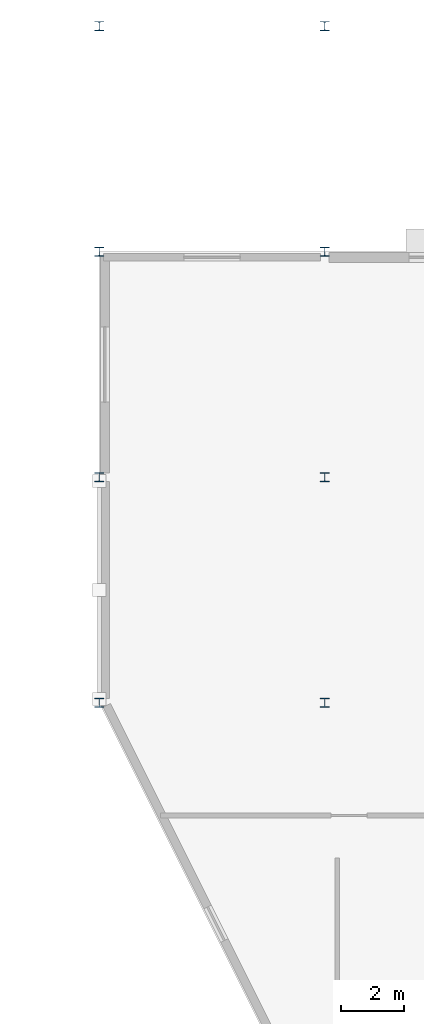
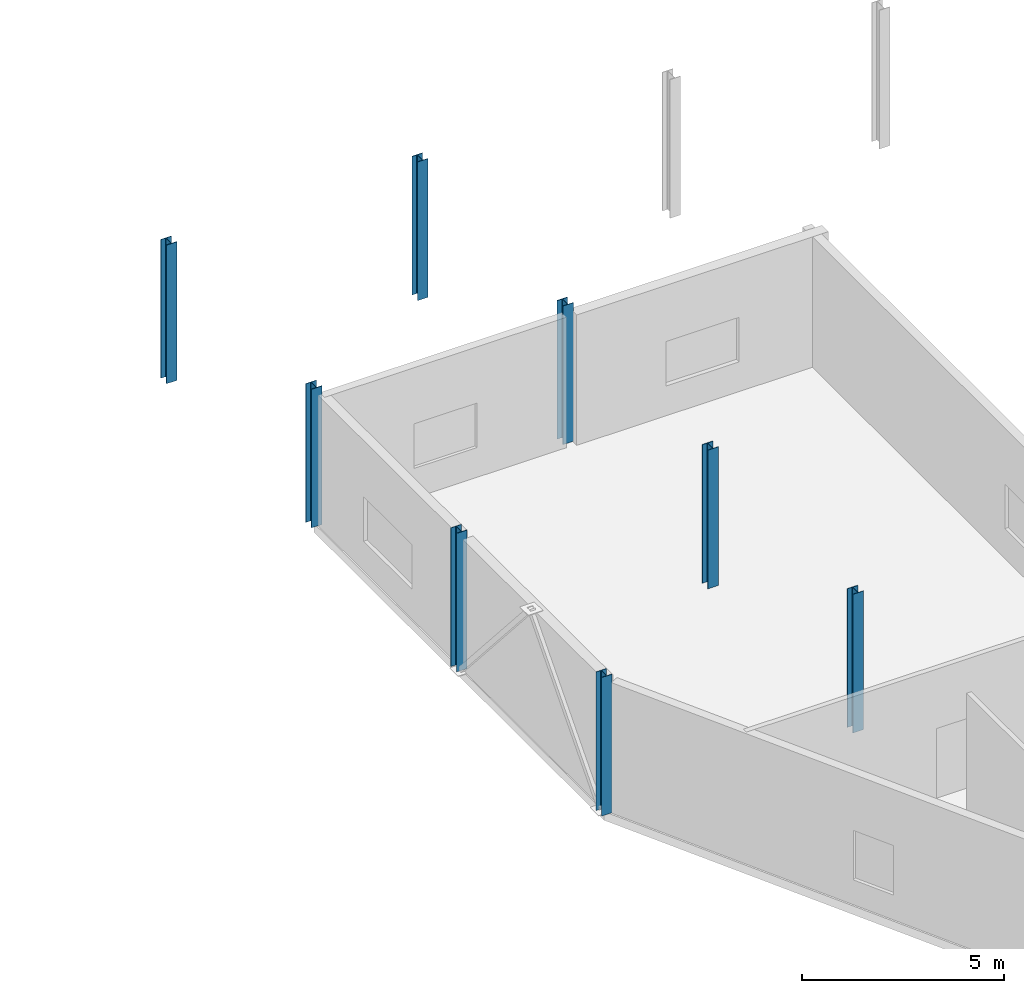
# One storey, part 3 of 60: 8 columns.
"""IFC4 building model written with IfcOpenShell, lengths in metres."""

from ifc_helpers import new_model, si_unit, direction, frame, origin, origin_2d, place, context, subcontext, project, spatial, i_section, extrude, material, material_profile, profile_set, type_object, element, save


model = new_model("IFC4")

# Units and contexts
model_context = context("Model", 3, precision=1e-05, world=origin(), true_north=direction((0.0, 1.0)))
body_context = subcontext(model_context, "Body", "Model", "MODEL_VIEW")
ifc_project = project(units=[si_unit("LENGTHUNIT", "METRE"), si_unit("AREAUNIT", "SQUARE_METRE"), si_unit("VOLUMEUNIT", "CUBIC_METRE"), si_unit("PLANEANGLEUNIT", "RADIAN"), si_unit("MASSUNIT", "GRAM", prefix="KILO")], contexts=[model_context])

# Site, building, storey
site_placement = place(None, origin())
site = spatial("IfcSite", under=ifc_project, at=site_placement, CompositionType="ELEMENT")
building_placement = place(site_placement, origin())
building = spatial("IfcBuilding", under=site, at=building_placement, Name="Brisavento Harbour Community Centre", CompositionType="ELEMENT")
storey_placement = place(building_placement, frame((0.0, 0.0, 4.5)))
storey = spatial("IfcBuildingStorey", under=building, at=storey_placement, Name="L01", CompositionType="ELEMENT", Elevation=4.5)

# Columns
ifc_material = material(Name="Steel S355", Category="steel")
ifc_material_profile = material_profile(ifc_material, i_section(OverallWidth=0.300048828125, OverallDepth=0.2900390625, WebThickness=0.008544921875, FlangeThickness=0.013916015625, FilletRadius=0.027099609375, at=origin_2d()), Name="Steel S355")
ifc_profile_set = profile_set([ifc_material_profile], Name="Steel S355")
column_type = type_object("IfcColumnType", Name="COL-STL-HEA300", PredefinedType="COLUMN", material=ifc_profile_set)
for number, where, z_axis, x_axis, name in (
    (1, (115.199951171875, 93.60009765625, 0.0), (0.0, 0.0, 1.0), (1.0, 0.0, 0.0), "L01 column V4W1-93"),
    (2, (122.39990234375, 93.60009765625, 0.0), (0.0, 0.0, 1.0), (1.0, 0.0, 0.0), "L01 column V4W2-93"),
    (3, (115.199951171875, 100.800048828125, 0.0), (0.0, 0.0, 1.0), (1.0, 0.0, 0.0), "L01 column V4W1-100"),
    (4, (122.39990234375, 100.800048828125, 0.0), (0.0, 0.0, 1.0), (1.0, 0.0, 0.0), "L01 column V4W2-100"),
    (5, (115.199951171875, 108.0, 0.0), (0.0, 0.0, 1.0), (1.0, 0.0, 0.0), "L01 column V4W1-108"),
    (6, (122.39990234375, 108.0, 0.0), (0.0, 0.0, 1.0), (1.0, 0.0, 0.0), "L01 column V4W2-108"),
    (7, (115.199951171875, 115.199951171875, 0.0), (0.0, 0.0, 1.0), (1.0, 0.0, 0.0), "L01 column V4W1-115"),
    (8, (122.39990234375, 115.199951171875, 0.0), (0.0, 0.0, 1.0), (1.0, 0.0, 0.0), "L01 column V4W2-115"),
):
    element("IfcColumn", number, at=place(storey_placement, frame(where, z_axis=z_axis, x_axis=x_axis)), inside=storey, type_object=column_type, Name=name, PredefinedType="COLUMN", context=body_context, shape_type="SweptSolid", body=[
        extrude(i_section(OverallWidth=0.300048828125, OverallDepth=0.2900390625, WebThickness=0.008544921875, FlangeThickness=0.013916015625, FilletRadius=0.027099609375, at=origin_2d()), origin(), (0.0, 0.0, 1.0), 4.199951171875),
    ])

save(model, "model.ifc")
